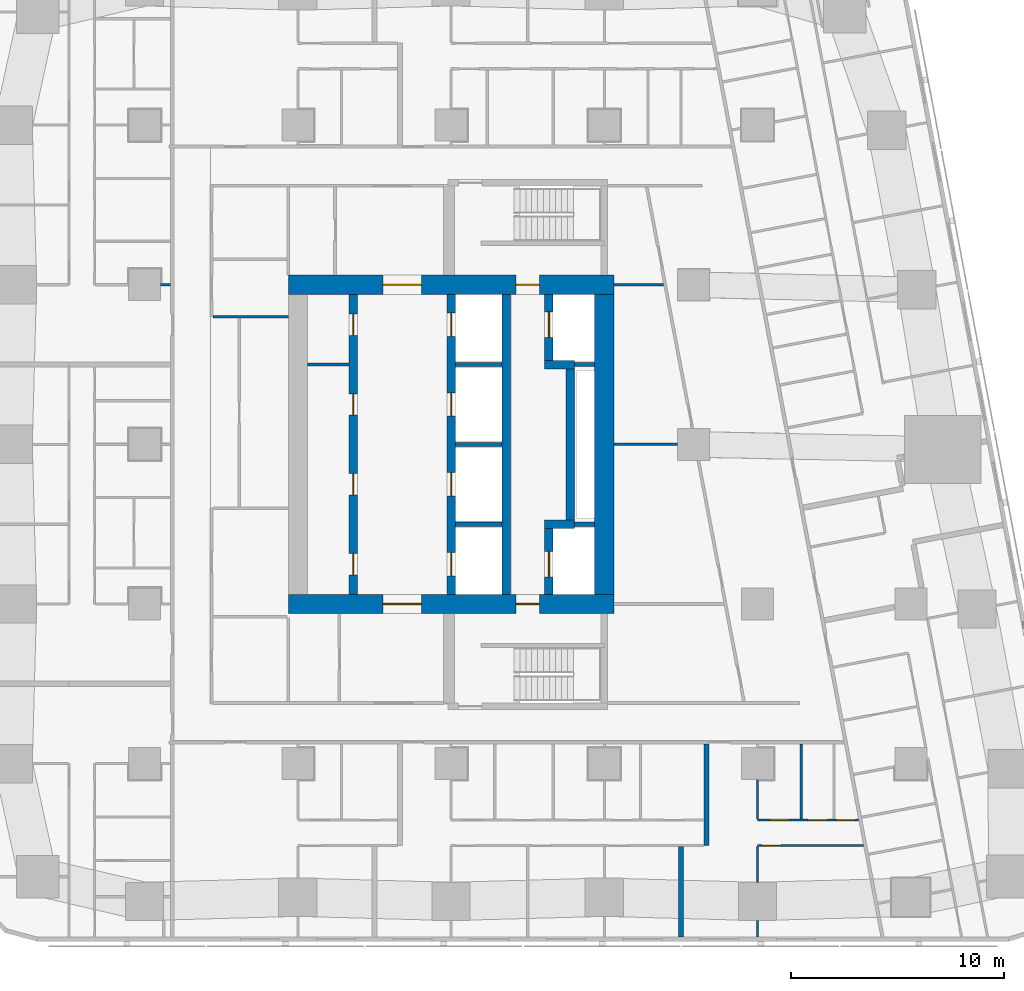
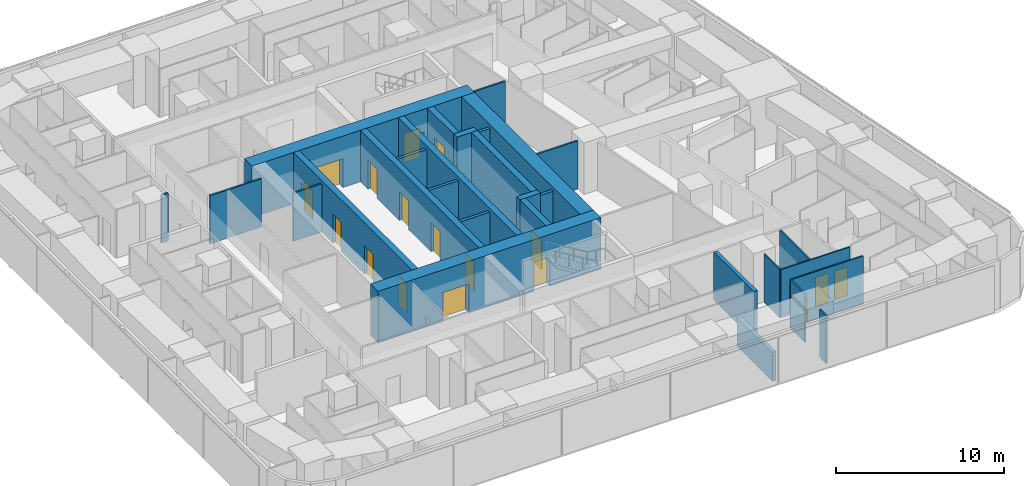
# One storey, part 6 of 15: 29 walls, 18 doors, 18 openings.
"""IFC4 building model written with IfcOpenShell, lengths in metres."""

from ifc_helpers import new_model, si_unit, direction, frame, frame_2d, origin, place, context, subcontext, project, spatial, rectangle, extrude, material, layer, layer_set, type_object, element, fill, save


model = new_model("IFC4")

# Units and contexts
model_context = context("Model", 3, precision=1e-05, world=origin(), true_north=direction((0.0, 1.0)))
body_context = subcontext(model_context, "Body", "Model", "MODEL_VIEW")
ifc_project = project(units=[si_unit("LENGTHUNIT", "METRE"), si_unit("AREAUNIT", "SQUARE_METRE"), si_unit("VOLUMEUNIT", "CUBIC_METRE"), si_unit("PLANEANGLEUNIT", "RADIAN"), si_unit("MASSUNIT", "GRAM", prefix="KILO")], contexts=[model_context])

# Site, building, storey
site_placement = place(None, origin())
site = spatial("IfcSite", under=ifc_project, at=site_placement, CompositionType="ELEMENT")
building_placement = place(site_placement, origin())
building = spatial("IfcBuilding", under=site, at=building_placement, Name="Sheger Commons Tower", CompositionType="ELEMENT")
storey_placement = place(building_placement, frame((0.0, 0.0, 165.800048828125)))
storey = spatial("IfcBuildingStorey", under=building, at=storey_placement, Name="L42", CompositionType="ELEMENT", Elevation=165.800048828125)

# Wall, openings, doors
ifc_material_1 = material(Name="Concrete C50/60", Category="concrete")
ifc_layer_1 = layer(ifc_material_1, 0.39990234375)
ifc_layer_set_1 = layer_set([ifc_layer_1], Name="CORE INNER WALL 400")
wall_type_1 = type_object("IfcWallType", Name="CORE INNER WALL 400", PredefinedType="SHEAR", material=ifc_layer_set_1)
wall_1_placement = place(storey_placement, frame((17.0, 15.449951171875, 0.0), z_axis=(0.0, 0.0, 1.0), x_axis=(0.0, 1.0, 0.0)))
wall_1 = element("IfcWall", 1, at=wall_1_placement, inside=storey, type_object=wall_type_1, Name="Core inner wall A L42", PredefinedType="SHEAR", context=body_context, shape_type="SweptSolid", body=[
    extrude(rectangle(XDim=14.10009765625, YDim=0.39990234375, at=frame_2d((7.050048828125, 0.0))), origin(), (0.0, 0.0, 1.0), 3.75),
])
opening_1_placement = place(wall_1_placement, frame((0.925048828125, 0.0, 0.0)))
opening_1 = element("IfcOpeningElement", 2, at=opening_1_placement, cuts=wall_1, Name="Opening D4", PredefinedType="OPENING", context=body_context, shape_type="SweptSolid", body=[
    extrude(rectangle(XDim=1.0, YDim=2.10009765625, at=frame_2d((0.5, 1.050048828125))), frame((0.0, 0.2099609375, 0.0), z_axis=(0.0, -1.0, 0.0), x_axis=(1.0, 0.0, 0.0)), (0.0, 0.0, 1.0), 0.419921875),
])
opening_2_placement = place(wall_1_placement, frame((4.675048828125, 0.0, 0.0)))
opening_2 = element("IfcOpeningElement", 3, at=opening_2_placement, cuts=wall_1, Name="Opening D4", PredefinedType="OPENING", context=body_context, shape_type="SweptSolid", body=[
    extrude(rectangle(XDim=1.0, YDim=2.10009765625, at=frame_2d((0.5, 1.050048828125))), frame((0.0, 0.2099609375, 0.0), z_axis=(0.0, -1.0, 0.0), x_axis=(1.0, 0.0, 0.0)), (0.0, 0.0, 1.0), 0.419921875),
])
opening_3_placement = place(wall_1_placement, frame((8.425048828125, 0.0, 0.0)))
opening_3 = element("IfcOpeningElement", 4, at=opening_3_placement, cuts=wall_1, Name="Opening D4", PredefinedType="OPENING", context=body_context, shape_type="SweptSolid", body=[
    extrude(rectangle(XDim=1.0, YDim=2.10009765625, at=frame_2d((0.5, 1.050048828125))), frame((0.0, 0.2099609375, 0.0), z_axis=(0.0, -1.0, 0.0), x_axis=(1.0, 0.0, 0.0)), (0.0, 0.0, 1.0), 0.419921875),
])
opening_4_placement = place(wall_1_placement, frame((12.175048828125, 0.0, 0.0)))
opening_4 = element("IfcOpeningElement", 5, at=opening_4_placement, cuts=wall_1, Name="Opening D4", PredefinedType="OPENING", context=body_context, shape_type="SweptSolid", body=[
    extrude(rectangle(XDim=1.0, YDim=2.10009765625, at=frame_2d((0.5, 1.050048828125))), frame((0.0, 0.2099609375, 0.0), z_axis=(0.0, -1.0, 0.0), x_axis=(1.0, 0.0, 0.0)), (0.0, 0.0, 1.0), 0.419921875),
])
ifc_material_2 = material(Name="Steel door set, fire rated", Category="steel")
door_type_1 = type_object("IfcDoorType", Name="SERVICE DOOR 1000x2100", OperationType="NOTDEFINED", PredefinedType="DOOR", material=ifc_material_2)
door_1_placement = place(opening_1_placement, origin())
door_1 = element("IfcDoor", 6, at=door_1_placement, inside=storey, type_object=door_type_1, Name="Maintenance store door", OperationType="SINGLE_SWING_LEFT", OverallHeight=2.10009765625, OverallWidth=1.0, PredefinedType="DOOR", context=body_context, shape_type="SweptSolid", body=[
    extrude(rectangle(XDim=1.0, YDim=2.10009765625, at=frame_2d((0.5, 1.050048828125))), frame((0.0, 0.02490234375, 0.0), z_axis=(0.0, -1.0, 0.0), x_axis=(1.0, 0.0, 0.0)), (0.0, 0.0, 1.0), 0.050048828125),
])
fill(opening_1, door_1)
door_2_placement = place(opening_2_placement, origin())
door_2 = element("IfcDoor", 7, at=door_2_placement, inside=storey, type_object=door_type_1, Name="Maintenance store door", OperationType="SINGLE_SWING_LEFT", OverallHeight=2.10009765625, OverallWidth=1.0, PredefinedType="DOOR", context=body_context, shape_type="SweptSolid", body=[
    extrude(rectangle(XDim=1.0, YDim=2.10009765625, at=frame_2d((0.5, 1.050048828125))), frame((0.0, 0.02490234375, 0.0), z_axis=(0.0, -1.0, 0.0), x_axis=(1.0, 0.0, 0.0)), (0.0, 0.0, 1.0), 0.050048828125),
])
fill(opening_2, door_2)
door_3_placement = place(opening_3_placement, origin())
door_3 = element("IfcDoor", 8, at=door_3_placement, inside=storey, type_object=door_type_1, Name="Maintenance store door", OperationType="SINGLE_SWING_RIGHT", OverallHeight=2.10009765625, OverallWidth=1.0, PredefinedType="DOOR", context=body_context, shape_type="SweptSolid", body=[
    extrude(rectangle(XDim=1.0, YDim=2.10009765625, at=frame_2d((0.5, 1.050048828125))), frame((0.0, 0.02490234375, 0.0), z_axis=(0.0, -1.0, 0.0), x_axis=(1.0, 0.0, 0.0)), (0.0, 0.0, 1.0), 0.050048828125),
])
fill(opening_3, door_3)
door_4_placement = place(opening_4_placement, origin())
door_4 = element("IfcDoor", 9, at=door_4_placement, inside=storey, type_object=door_type_1, Name="Staff WC door", OperationType="SINGLE_SWING_RIGHT", OverallHeight=2.10009765625, OverallWidth=1.0, PredefinedType="DOOR", context=body_context, shape_type="SweptSolid", body=[
    extrude(rectangle(XDim=1.0, YDim=2.10009765625, at=frame_2d((0.5, 1.050048828125))), frame((0.0, 0.02490234375, 0.0), z_axis=(0.0, -1.0, 0.0), x_axis=(1.0, 0.0, 0.0)), (0.0, 0.0, 1.0), 0.050048828125),
])
fill(opening_4, door_4)

wall_2_placement = place(storey_placement, frame((21.60009765625, 15.449951171875, 0.0), z_axis=(0.0, 0.0, 1.0), x_axis=(0.0, 1.0, 0.0)))
wall_2 = element("IfcWall", 10, at=wall_2_placement, inside=storey, type_object=wall_type_1, Name="Core inner wall L L42", PredefinedType="SHEAR", context=body_context, shape_type="SweptSolid", body=[
    extrude(rectangle(XDim=14.10009765625, YDim=0.39990234375, at=frame_2d((7.050048828125, 0.0))), origin(), (0.0, 0.0, 1.0), 3.75),
])
opening_5_placement = place(wall_2_placement, frame((0.875, 0.0, 0.0)))
opening_5 = element("IfcOpeningElement", 11, at=opening_5_placement, cuts=wall_2, Name="Opening LD", PredefinedType="OPENING", context=body_context, shape_type="SweptSolid", body=[
    extrude(rectangle(XDim=1.10009765625, YDim=2.10009765625, at=frame_2d((0.550048828125, 1.050048828125))), frame((0.0, 0.2099609375, 0.0), z_axis=(0.0, -1.0, 0.0), x_axis=(1.0, 0.0, 0.0)), (0.0, 0.0, 1.0), 0.419921875),
])
opening_6_placement = place(wall_2_placement, frame((4.625, 0.0, 0.0)))
opening_6 = element("IfcOpeningElement", 12, at=opening_6_placement, cuts=wall_2, Name="Opening LD", PredefinedType="OPENING", context=body_context, shape_type="SweptSolid", body=[
    extrude(rectangle(XDim=1.10009765625, YDim=2.10009765625, at=frame_2d((0.550048828125, 1.050048828125))), frame((0.0, 0.2099609375, 0.0), z_axis=(0.0, -1.0, 0.0), x_axis=(1.0, 0.0, 0.0)), (0.0, 0.0, 1.0), 0.419921875),
])
opening_7_placement = place(wall_2_placement, frame((8.375, 0.0, 0.0)))
opening_7 = element("IfcOpeningElement", 13, at=opening_7_placement, cuts=wall_2, Name="Opening LD", PredefinedType="OPENING", context=body_context, shape_type="SweptSolid", body=[
    extrude(rectangle(XDim=1.10009765625, YDim=2.10009765625, at=frame_2d((0.550048828125, 1.050048828125))), frame((0.0, 0.2099609375, 0.0), z_axis=(0.0, -1.0, 0.0), x_axis=(1.0, 0.0, 0.0)), (0.0, 0.0, 1.0), 0.419921875),
])
opening_8_placement = place(wall_2_placement, frame((12.125, 0.0, 0.0)))
opening_8 = element("IfcOpeningElement", 14, at=opening_8_placement, cuts=wall_2, Name="Opening LD", PredefinedType="OPENING", context=body_context, shape_type="SweptSolid", body=[
    extrude(rectangle(XDim=1.10009765625, YDim=2.10009765625, at=frame_2d((0.550048828125, 1.050048828125))), frame((0.0, 0.2099609375, 0.0), z_axis=(0.0, -1.0, 0.0), x_axis=(1.0, 0.0, 0.0)), (0.0, 0.0, 1.0), 0.419921875),
])
ifc_material_3 = material(Name="Steel door set, fire rated", Category="steel")
door_type_2 = type_object("IfcDoorType", Name="LIFT LANDING DOOR 1100x2100", OperationType="DOUBLE_DOOR_SLIDING", PredefinedType="DOOR", material=ifc_material_3)
door_5_placement = place(opening_5_placement, origin())
door_5 = element("IfcDoor", 15, at=door_5_placement, inside=storey, type_object=door_type_2, Name="Lift LB1 landing door", OperationType="DOUBLE_DOOR_SLIDING", OverallHeight=2.10009765625, OverallWidth=1.10009765625, PredefinedType="DOOR", context=body_context, shape_type="SweptSolid", body=[
    extrude(rectangle(XDim=1.10009765625, YDim=2.10009765625, at=frame_2d((0.550048828125, 1.050048828125))), frame((0.0, 0.02490234375, 0.0), z_axis=(0.0, -1.0, 0.0), x_axis=(1.0, 0.0, 0.0)), (0.0, 0.0, 1.0), 0.050048828125),
])
fill(opening_5, door_5)
door_6_placement = place(opening_6_placement, origin())
door_6 = element("IfcDoor", 16, at=door_6_placement, inside=storey, type_object=door_type_2, Name="Lift LB2 landing door", OperationType="DOUBLE_DOOR_SLIDING", OverallHeight=2.10009765625, OverallWidth=1.10009765625, PredefinedType="DOOR", context=body_context, shape_type="SweptSolid", body=[
    extrude(rectangle(XDim=1.10009765625, YDim=2.10009765625, at=frame_2d((0.550048828125, 1.050048828125))), frame((0.0, 0.02490234375, 0.0), z_axis=(0.0, -1.0, 0.0), x_axis=(1.0, 0.0, 0.0)), (0.0, 0.0, 1.0), 0.050048828125),
])
fill(opening_6, door_6)
door_7_placement = place(opening_7_placement, origin())
door_7 = element("IfcDoor", 17, at=door_7_placement, inside=storey, type_object=door_type_2, Name="Lift LB3 landing door", OperationType="DOUBLE_DOOR_SLIDING", OverallHeight=2.10009765625, OverallWidth=1.10009765625, PredefinedType="DOOR", context=body_context, shape_type="SweptSolid", body=[
    extrude(rectangle(XDim=1.10009765625, YDim=2.10009765625, at=frame_2d((0.550048828125, 1.050048828125))), frame((0.0, 0.02490234375, 0.0), z_axis=(0.0, -1.0, 0.0), x_axis=(1.0, 0.0, 0.0)), (0.0, 0.0, 1.0), 0.050048828125),
])
fill(opening_7, door_7)
door_8_placement = place(opening_8_placement, origin())
door_8 = element("IfcDoor", 18, at=door_8_placement, inside=storey, type_object=door_type_2, Name="Lift LB4 landing door", OperationType="DOUBLE_DOOR_SLIDING", OverallHeight=2.10009765625, OverallWidth=1.10009765625, PredefinedType="DOOR", context=body_context, shape_type="SweptSolid", body=[
    extrude(rectangle(XDim=1.10009765625, YDim=2.10009765625, at=frame_2d((0.550048828125, 1.050048828125))), frame((0.0, 0.02490234375, 0.0), z_axis=(0.0, -1.0, 0.0), x_axis=(1.0, 0.0, 0.0)), (0.0, 0.0, 1.0), 0.050048828125),
])
fill(opening_8, door_8)

# Wall
wall_3_placement = place(storey_placement, frame((24.199951171875, 15.449951171875, 0.0), z_axis=(0.0, 0.0, 1.0), x_axis=(0.0, 1.0, 0.0)))
element("IfcWall", 19, at=wall_3_placement, inside=storey, type_object=wall_type_1, Name="Core inner wall B L42", PredefinedType="SHEAR", context=body_context, shape_type="SweptSolid", body=[
    extrude(rectangle(XDim=14.10009765625, YDim=0.39990234375, at=frame_2d((7.050048828125, 0.0))), origin(), (0.0, 0.0, 1.0), 3.75),
])

# Wall, opening, door
wall_4_placement = place(storey_placement, frame((26.199951171875, 15.449951171875, 0.0), z_axis=(0.0, 0.0, 1.0), x_axis=(0.0, 1.0, 0.0)))
wall_4 = element("IfcWall", 20, at=wall_4_placement, inside=storey, type_object=wall_type_1, Name="Core inner wall F L42", PredefinedType="SHEAR", context=body_context, shape_type="SweptSolid", body=[
    extrude(rectangle(XDim=3.10009765625, YDim=0.39990234375, at=frame_2d((1.550048828125, 0.0))), origin(), (0.0, 0.0, 1.0), 3.75),
])
opening_9_placement = place(wall_4_placement, frame((0.824951171875, 0.0, 0.0)))
opening_9 = element("IfcOpeningElement", 21, at=opening_9_placement, cuts=wall_4, Name="Opening LD2", PredefinedType="OPENING", context=body_context, shape_type="SweptSolid", body=[
    extrude(rectangle(XDim=1.199951171875, YDim=2.10009765625, at=frame_2d((0.60009765625, 1.050048828125))), frame((0.0, 0.2099609375, 0.0), z_axis=(0.0, -1.0, 0.0), x_axis=(1.0, 0.0, 0.0)), (0.0, 0.0, 1.0), 0.419921875),
])
ifc_material_4 = material(Name="Steel door set, fire rated", Category="steel")
door_type_3 = type_object("IfcDoorType", Name="FIREFIGHTING LIFT LANDING DOOR 1200x2100", OperationType="DOUBLE_DOOR_SLIDING", PredefinedType="DOOR", material=ifc_material_4)
door_9_placement = place(opening_9_placement, origin())
door_9 = element("IfcDoor", 22, at=door_9_placement, inside=storey, type_object=door_type_3, Name="Lift FL1 landing door", OperationType="DOUBLE_DOOR_SLIDING", OverallHeight=2.10009765625, OverallWidth=1.199951171875, PredefinedType="DOOR", context=body_context, shape_type="SweptSolid", body=[
    extrude(rectangle(XDim=1.199951171875, YDim=2.10009765625, at=frame_2d((0.60009765625, 1.050048828125))), frame((0.0, 0.02490234375, 0.0), z_axis=(0.0, -1.0, 0.0), x_axis=(1.0, 0.0, 0.0)), (0.0, 0.0, 1.0), 0.050048828125),
])
fill(opening_9, door_9)

# Walls
wall_5_placement = place(storey_placement, frame((26.0, 18.75, 0.0), z_axis=(0.0, 0.0, 1.0), x_axis=(1.0, 0.0, 0.0)))
element("IfcWall", 23, at=wall_5_placement, inside=storey, type_object=wall_type_1, Name="Core inner wall F south return L42", PredefinedType="SHEAR", context=body_context, shape_type="SweptSolid", body=[
    extrude(rectangle(XDim=1.39990234375, YDim=0.39990234375, at=frame_2d((0.699951171875, 0.0))), origin(), (0.0, 0.0, 1.0), 3.75),
])
wall_6_placement = place(storey_placement, frame((27.199951171875, 18.949951171875, 0.0), z_axis=(0.0, 0.0, 1.0), x_axis=(0.0, 1.0, 0.0)))
element("IfcWall", 24, at=wall_6_placement, inside=storey, type_object=wall_type_1, Name="Core inner wall F middle L42", PredefinedType="SHEAR", context=body_context, shape_type="SweptSolid", body=[
    extrude(rectangle(XDim=7.10009765625, YDim=0.39990234375, at=frame_2d((3.550048828125, 0.0))), origin(), (0.0, 0.0, 1.0), 3.75),
])
wall_7_placement = place(storey_placement, frame((26.0, 26.25, 0.0), z_axis=(0.0, 0.0, 1.0), x_axis=(1.0, 0.0, 0.0)))
element("IfcWall", 25, at=wall_7_placement, inside=storey, type_object=wall_type_1, Name="Core inner wall F north return L42", PredefinedType="SHEAR", context=body_context, shape_type="SweptSolid", body=[
    extrude(rectangle(XDim=1.39990234375, YDim=0.39990234375, at=frame_2d((0.699951171875, 0.0))), origin(), (0.0, 0.0, 1.0), 3.75),
])

# Wall, opening, door
wall_8_placement = place(storey_placement, frame((26.199951171875, 26.449951171875, 0.0), z_axis=(0.0, 0.0, 1.0), x_axis=(0.0, 1.0, 0.0)))
wall_8 = element("IfcWall", 26, at=wall_8_placement, inside=storey, type_object=wall_type_1, Name="Core inner wall F north L42", PredefinedType="SHEAR", context=body_context, shape_type="SweptSolid", body=[
    extrude(rectangle(XDim=3.10009765625, YDim=0.39990234375, at=frame_2d((1.550048828125, 0.0))), origin(), (0.0, 0.0, 1.0), 3.75),
])
opening_10_placement = place(wall_8_placement, frame((1.074951171875, 0.0, 0.0)))
opening_10 = element("IfcOpeningElement", 27, at=opening_10_placement, cuts=wall_8, Name="Opening LD2", PredefinedType="OPENING", context=body_context, shape_type="SweptSolid", body=[
    extrude(rectangle(XDim=1.199951171875, YDim=2.10009765625, at=frame_2d((0.60009765625, 1.050048828125))), frame((0.0, 0.2099609375, 0.0), z_axis=(0.0, -1.0, 0.0), x_axis=(1.0, 0.0, 0.0)), (0.0, 0.0, 1.0), 0.419921875),
])
door_10_placement = place(opening_10_placement, origin())
door_10 = element("IfcDoor", 28, at=door_10_placement, inside=storey, type_object=door_type_3, Name="Lift FL2 landing door", OperationType="DOUBLE_DOOR_SLIDING", OverallHeight=2.10009765625, OverallWidth=1.199951171875, PredefinedType="DOOR", context=body_context, shape_type="SweptSolid", body=[
    extrude(rectangle(XDim=1.199951171875, YDim=2.10009765625, at=frame_2d((0.60009765625, 1.050048828125))), frame((0.0, 0.02490234375, 0.0), z_axis=(0.0, -1.0, 0.0), x_axis=(1.0, 0.0, 0.0)), (0.0, 0.0, 1.0), 0.050048828125),
])
fill(opening_10, door_10)

# Wall, openings, doors
ifc_material_5 = material(Name="Concrete C50/60", Category="concrete")
ifc_layer_2 = layer(ifc_material_5, 0.89990234375)
ifc_layer_set_2 = layer_set([ifc_layer_2], Name="CORE WALL 900")
wall_type_2 = type_object("IfcWallType", Name="CORE WALL 900", PredefinedType="SHEAR", material=ifc_layer_set_2)
wall_9_placement = place(storey_placement, frame((13.949951171875, 15.0, 0.0), z_axis=(0.0, 0.0, 1.0), x_axis=(1.0, 0.0, 0.0)))
wall_9 = element("IfcWall", 29, at=wall_9_placement, inside=storey, type_object=wall_type_2, Name="Core wall south L42", PredefinedType="SHEAR", context=body_context, shape_type="SweptSolid", body=[
    extrude(rectangle(XDim=15.300048828125, YDim=0.89990234375, at=frame_2d((7.64990234375, 0.0))), origin(), (0.0, 0.0, 1.0), 3.75),
])
opening_11_placement = place(wall_9_placement, frame((4.449951171875, 0.0, 0.0)))
opening_11 = element("IfcOpeningElement", 30, at=opening_11_placement, cuts=wall_9, Name="Opening D6", PredefinedType="OPENING", context=body_context, shape_type="SweptSolid", body=[
    extrude(rectangle(XDim=1.800048828125, YDim=2.10009765625, at=frame_2d((0.89990234375, 1.050048828125))), frame((0.0, 0.4599609375, 0.0), z_axis=(0.0, -1.0, 0.0), x_axis=(1.0, 0.0, 0.0)), (0.0, 0.0, 1.0), 0.919921875),
])
opening_12_placement = place(wall_9_placement, frame((10.699951171875, 0.0, 0.0)))
opening_12 = element("IfcOpeningElement", 31, at=opening_12_placement, cuts=wall_9, Name="Opening D5", PredefinedType="OPENING", context=body_context, shape_type="SweptSolid", body=[
    extrude(rectangle(XDim=1.10009765625, YDim=2.10009765625, at=frame_2d((0.550048828125, 1.050048828125))), frame((0.0, 0.4599609375, 0.0), z_axis=(0.0, -1.0, 0.0), x_axis=(1.0, 0.0, 0.0)), (0.0, 0.0, 1.0), 0.919921875),
])
ifc_material_6 = material(Name="Steel door set, fire rated", Category="steel")
door_type_4 = type_object("IfcDoorType", Name="LOBBY DOUBLE DOOR 1800x2100", OperationType="DOUBLE_DOOR_SINGLE_SWING", PredefinedType="DOOR", material=ifc_material_6)
door_11_placement = place(opening_11_placement, origin())
door_11 = element("IfcDoor", 32, at=door_11_placement, inside=storey, type_object=door_type_4, Name="Lift lobby door", OperationType="DOUBLE_DOOR_SINGLE_SWING", OverallHeight=2.10009765625, OverallWidth=1.800048828125, PredefinedType="DOOR", context=body_context, shape_type="SweptSolid", body=[
    extrude(rectangle(XDim=1.800048828125, YDim=2.10009765625, at=frame_2d((0.89990234375, 1.050048828125))), frame((0.0, 0.02490234375, 0.0), z_axis=(0.0, -1.0, 0.0), x_axis=(1.0, 0.0, 0.0)), (0.0, 0.0, 1.0), 0.050048828125),
])
fill(opening_11, door_11)
ifc_material_7 = material(Name="Steel door set, fire rated", Category="steel")
door_type_5 = type_object("IfcDoorType", Name="STAIR DOOR 1100x2100", OperationType="NOTDEFINED", PredefinedType="DOOR", material=ifc_material_7)
door_12_placement = place(opening_12_placement, origin())
door_12 = element("IfcDoor", 33, at=door_12_placement, inside=storey, type_object=door_type_5, Name="Fire-fighting lobby door", OperationType="SINGLE_SWING_RIGHT", OverallHeight=2.10009765625, OverallWidth=1.10009765625, PredefinedType="DOOR", context=body_context, shape_type="SweptSolid", body=[
    extrude(rectangle(XDim=1.10009765625, YDim=2.10009765625, at=frame_2d((0.550048828125, 1.050048828125))), frame((0.0, 0.02490234375, 0.0), z_axis=(0.0, -1.0, 0.0), x_axis=(1.0, 0.0, 0.0)), (0.0, 0.0, 1.0), 0.050048828125),
])
fill(opening_12, door_12)

wall_10_placement = place(storey_placement, frame((13.949951171875, 30.0, 0.0), z_axis=(0.0, 0.0, 1.0), x_axis=(1.0, 0.0, 0.0)))
wall_10 = element("IfcWall", 34, at=wall_10_placement, inside=storey, type_object=wall_type_2, Name="Core wall north L42", PredefinedType="SHEAR", context=body_context, shape_type="SweptSolid", body=[
    extrude(rectangle(XDim=15.300048828125, YDim=0.89990234375, at=frame_2d((7.64990234375, 0.0))), origin(), (0.0, 0.0, 1.0), 3.75),
])
opening_13_placement = place(wall_10_placement, frame((4.449951171875, 0.0, 0.0)))
opening_13 = element("IfcOpeningElement", 35, at=opening_13_placement, cuts=wall_10, Name="Opening D6", PredefinedType="OPENING", context=body_context, shape_type="SweptSolid", body=[
    extrude(rectangle(XDim=1.800048828125, YDim=2.10009765625, at=frame_2d((0.89990234375, 1.050048828125))), frame((0.0, 0.4599609375, 0.0), z_axis=(0.0, -1.0, 0.0), x_axis=(1.0, 0.0, 0.0)), (0.0, 0.0, 1.0), 0.919921875),
])
opening_14_placement = place(wall_10_placement, frame((10.699951171875, 0.0, 0.0)))
opening_14 = element("IfcOpeningElement", 36, at=opening_14_placement, cuts=wall_10, Name="Opening D5", PredefinedType="OPENING", context=body_context, shape_type="SweptSolid", body=[
    extrude(rectangle(XDim=1.10009765625, YDim=2.10009765625, at=frame_2d((0.550048828125, 1.050048828125))), frame((0.0, 0.4599609375, 0.0), z_axis=(0.0, -1.0, 0.0), x_axis=(1.0, 0.0, 0.0)), (0.0, 0.0, 1.0), 0.919921875),
])
door_13_placement = place(opening_13_placement, origin())
door_13 = element("IfcDoor", 37, at=door_13_placement, inside=storey, type_object=door_type_4, Name="Lift lobby door", OperationType="DOUBLE_DOOR_SINGLE_SWING", OverallHeight=2.10009765625, OverallWidth=1.800048828125, PredefinedType="DOOR", context=body_context, shape_type="SweptSolid", body=[
    extrude(rectangle(XDim=1.800048828125, YDim=2.10009765625, at=frame_2d((0.89990234375, 1.050048828125))), frame((0.0, 0.02490234375, 0.0), z_axis=(0.0, -1.0, 0.0), x_axis=(1.0, 0.0, 0.0)), (0.0, 0.0, 1.0), 0.050048828125),
])
fill(opening_13, door_13)
door_14_placement = place(opening_14_placement, origin())
door_14 = element("IfcDoor", 38, at=door_14_placement, inside=storey, type_object=door_type_5, Name="Fire-fighting lobby door", OperationType="SINGLE_SWING_RIGHT", OverallHeight=2.10009765625, OverallWidth=1.10009765625, PredefinedType="DOOR", context=body_context, shape_type="SweptSolid", body=[
    extrude(rectangle(XDim=1.10009765625, YDim=2.10009765625, at=frame_2d((0.550048828125, 1.050048828125))), frame((0.0, 0.02490234375, 0.0), z_axis=(0.0, -1.0, 0.0), x_axis=(1.0, 0.0, 0.0)), (0.0, 0.0, 1.0), 0.050048828125),
])
fill(opening_14, door_14)

# Walls
wall_11_placement = place(storey_placement, frame((28.800048828125, 15.449951171875, 0.0), z_axis=(0.0, 0.0, 1.0), x_axis=(0.0, 1.0, 0.0)))
element("IfcWall", 39, at=wall_11_placement, inside=storey, type_object=wall_type_2, Name="Core wall east L42", PredefinedType="SHEAR", context=body_context, shape_type="SweptSolid", body=[
    extrude(rectangle(XDim=14.10009765625, YDim=0.89990234375, at=frame_2d((7.050048828125, 0.0))), origin(), (0.0, 0.0, 1.0), 3.75),
])
ifc_material_8 = material(Name="Dense concrete block masonry, plastered both sides (separating wall between flats)", Category="masonry")
ifc_layer_3 = layer(ifc_material_8, 0.25)
ifc_layer_set_3 = layer_set([ifc_layer_3], Name="DEMISING WALL 250")
wall_type_3 = type_object("IfcWallType", Name="DEMISING WALL 250", PredefinedType="SOLIDWALL", material=ifc_layer_set_3)
wall_12_placement = place(storey_placement, frame((32.39990234375, -0.64990234375, 0.0), z_axis=(0.0, 0.0, 1.0), x_axis=(0.0, 1.0, 0.0)))
element("IfcWall", 40, at=wall_12_placement, inside=storey, type_object=wall_type_3, Name="Demising wall L42", PredefinedType="SOLIDWALL", context=body_context, shape_type="SweptSolid", body=[
    extrude(rectangle(XDim=4.25, YDim=0.25, at=frame_2d((2.125, 0.0))), origin(), (0.0, 0.0, 1.0), 2.099853515625),
])
wall_13_placement = place(storey_placement, frame((33.59912109375, 3.64990234375, 0.0), z_axis=(0.0, 0.0, 1.0), x_axis=(0.0, 1.0, 0.0)))
element("IfcWall", 41, at=wall_13_placement, inside=storey, type_object=wall_type_3, Name="Demising wall L42", PredefinedType="SOLIDWALL", context=body_context, shape_type="SweptSolid", body=[
    extrude(rectangle(XDim=4.775146484375, YDim=0.25, at=frame_2d((2.3876953125, 0.0))), origin(), (0.0, 0.0, 1.0), 3.5),
])
ifc_material_9 = material(Name="Gypsum board on steel studs", Category="steel")
ifc_layer_4 = layer(ifc_material_9, 0.10009765625)
ifc_layer_set_4 = layer_set([ifc_layer_4], Name="PARTITION 100")
wall_type_4 = type_object("IfcWallType", Name="PARTITION 100", PredefinedType="PARTITIONING", material=ifc_layer_set_4)
wall_14_placement = place(storey_placement, frame((7.950927734375, 30.0, 0.0), z_axis=(0.0, 0.0, 1.0), x_axis=(1.0, 0.0, 0.0)))
element("IfcWall", 42, at=wall_14_placement, inside=storey, type_object=wall_type_4, Name="Partition L42", PredefinedType="PARTITIONING", context=body_context, shape_type="SweptSolid", body=[
    extrude(rectangle(XDim=0.47412109375, YDim=0.10009765625, at=frame_2d((0.237060546875, 0.0))), origin(), (0.0, 0.0, 1.0), 3.5),
])

# Wall, opening, door
wall_15_placement = place(storey_placement, frame((40.97412109375, 3.64990234375, 0.0), z_axis=(0.0, 0.0, 1.0), x_axis=(-1.0, 0.0, 0.0)))
wall_15 = element("IfcWall", 43, at=wall_15_placement, inside=storey, type_object=wall_type_4, Name="Partition L42", PredefinedType="PARTITIONING", context=body_context, shape_type="SweptSolid", body=[
    extrude(rectangle(XDim=4.97412109375, YDim=0.10009765625, at=frame_2d((2.487060546875, 0.0))), origin(), (0.0, 0.0, 1.0), 3.5),
])
opening_15_placement = place(wall_15_placement, frame((3.8740234375, 0.0, 0.0)))
opening_15 = element("IfcOpeningElement", 44, at=opening_15_placement, cuts=wall_15, Name="Opening D2", PredefinedType="OPENING", context=body_context, shape_type="SweptSolid", body=[
    extrude(rectangle(XDim=0.89990234375, YDim=2.10009765625, at=frame_2d((0.449951171875, 1.050048828125))), frame((0.0, 0.06005859375, 0.0), z_axis=(0.0, -1.0, 0.0), x_axis=(1.0, 0.0, 0.0)), (0.0, 0.0, 1.0), 0.1201171875),
])
ifc_material_10 = material(Name="Timber door set", Category="wood")
door_type_6 = type_object("IfcDoorType", Name="INTERNAL DOOR 900x2100", OperationType="NOTDEFINED", PredefinedType="DOOR", material=ifc_material_10)
door_15_placement = place(opening_15_placement, origin())
door_15 = element("IfcDoor", 45, at=door_15_placement, inside=storey, type_object=door_type_6, Name="Main bedroom door", OperationType="SINGLE_SWING_RIGHT", OverallHeight=2.10009765625, OverallWidth=0.89990234375, PredefinedType="DOOR", context=body_context, shape_type="SweptSolid", body=[
    extrude(rectangle(XDim=0.89990234375, YDim=2.10009765625, at=frame_2d((0.449951171875, 1.050048828125))), frame((0.0, 0.02490234375, 0.0), z_axis=(0.0, -1.0, 0.0), x_axis=(1.0, 0.0, 0.0)), (0.0, 0.0, 1.0), 0.050048828125),
])
fill(opening_15, door_15)

# Wall, openings, doors
wall_16_placement = place(storey_placement, frame((40.7470703125, 4.85009765625, 0.0), z_axis=(0.0, 0.0, 1.0), x_axis=(-1.0, 0.0, 0.0)))
wall_16 = element("IfcWall", 46, at=wall_16_placement, inside=storey, type_object=wall_type_4, Name="Partition L42", PredefinedType="PARTITIONING", context=body_context, shape_type="SweptSolid", body=[
    extrude(rectangle(XDim=4.7470703125, YDim=0.10009765625, at=frame_2d((2.37353515625, 0.0))), origin(), (0.0, 0.0, 1.0), 3.5),
])
opening_16_placement = place(wall_16_placement, frame((3.27197265625, 0.0, 0.0)))
opening_16 = element("IfcOpeningElement", 47, at=opening_16_placement, cuts=wall_16, Name="Opening D2", PredefinedType="OPENING", context=body_context, shape_type="SweptSolid", body=[
    extrude(rectangle(XDim=0.89990234375, YDim=2.10009765625, at=frame_2d((0.449951171875, 1.050048828125))), frame((0.0, 0.06005859375, 0.0), z_axis=(0.0, -1.0, 0.0), x_axis=(1.0, 0.0, 0.0)), (0.0, 0.0, 1.0), 0.1201171875),
])
opening_17_placement = place(wall_16_placement, frame((0.14990234375, 0.0, 0.0)))
opening_17 = element("IfcOpeningElement", 48, at=opening_17_placement, cuts=wall_16, Name="Opening D2", PredefinedType="OPENING", context=body_context, shape_type="SweptSolid", body=[
    extrude(rectangle(XDim=0.89990234375, YDim=2.10009765625, at=frame_2d((0.449951171875, 1.050048828125))), frame((0.0, 0.06005859375, 0.0), z_axis=(0.0, -1.0, 0.0), x_axis=(1.0, 0.0, 0.0)), (0.0, 0.0, 1.0), 0.1201171875),
])
opening_18_placement = place(wall_16_placement, frame((1.471923828125, 0.0, 0.0)))
opening_18 = element("IfcOpeningElement", 49, at=opening_18_placement, cuts=wall_16, Name="Opening D2", PredefinedType="OPENING", context=body_context, shape_type="SweptSolid", body=[
    extrude(rectangle(XDim=0.89990234375, YDim=2.10009765625, at=frame_2d((0.449951171875, 1.050048828125))), frame((0.0, 0.06005859375, 0.0), z_axis=(0.0, -1.0, 0.0), x_axis=(1.0, 0.0, 0.0)), (0.0, 0.0, 1.0), 0.1201171875),
])
door_16_placement = place(opening_16_placement, origin())
door_16 = element("IfcDoor", 50, at=door_16_placement, inside=storey, type_object=door_type_6, Name="Bathroom door", OperationType="SINGLE_SWING_LEFT", OverallHeight=2.10009765625, OverallWidth=0.89990234375, PredefinedType="DOOR", context=body_context, shape_type="SweptSolid", body=[
    extrude(rectangle(XDim=0.89990234375, YDim=2.10009765625, at=frame_2d((0.449951171875, 1.050048828125))), frame((0.0, 0.02490234375, 0.0), z_axis=(0.0, -1.0, 0.0), x_axis=(1.0, 0.0, 0.0)), (0.0, 0.0, 1.0), 0.050048828125),
])
fill(opening_16, door_16)
door_17_placement = place(opening_17_placement, origin())
door_17 = element("IfcDoor", 51, at=door_17_placement, inside=storey, type_object=door_type_6, Name="Laundry room door", OperationType="SINGLE_SWING_RIGHT", OverallHeight=2.10009765625, OverallWidth=0.89990234375, PredefinedType="DOOR", context=body_context, shape_type="SweptSolid", body=[
    extrude(rectangle(XDim=0.89990234375, YDim=2.10009765625, at=frame_2d((0.449951171875, 1.050048828125))), frame((0.0, 0.02490234375, 0.0), z_axis=(0.0, -1.0, 0.0), x_axis=(1.0, 0.0, 0.0)), (0.0, 0.0, 1.0), 0.050048828125),
])
fill(opening_17, door_17)
door_18_placement = place(opening_18_placement, origin())
door_18 = element("IfcDoor", 52, at=door_18_placement, inside=storey, type_object=door_type_6, Name="Store door", OperationType="SINGLE_SWING_LEFT", OverallHeight=2.10009765625, OverallWidth=0.89990234375, PredefinedType="DOOR", context=body_context, shape_type="SweptSolid", body=[
    extrude(rectangle(XDim=0.89990234375, YDim=2.10009765625, at=frame_2d((0.449951171875, 1.050048828125))), frame((0.0, 0.02490234375, 0.0), z_axis=(0.0, -1.0, 0.0), x_axis=(1.0, 0.0, 0.0)), (0.0, 0.0, 1.0), 0.050048828125),
])
fill(opening_18, door_18)

# Walls
wall_17_placement = place(storey_placement, frame((36.0, -0.64990234375, 0.0), z_axis=(0.0, 0.0, 1.0), x_axis=(0.0, 1.0, 0.0)))
element("IfcWall", 53, at=wall_17_placement, inside=storey, type_object=wall_type_4, Name="Partition L42", PredefinedType="PARTITIONING", context=body_context, shape_type="SweptSolid", body=[
    extrude(rectangle(XDim=0.77392578125, YDim=0.10009765625, at=frame_2d((0.386962890625, 0.0))), origin(), (0.0, 0.0, 1.0), 3.5),
])
wall_18_placement = place(storey_placement, frame((36.0, 1.926025390625, 0.0), z_axis=(0.0, 0.0, 1.0), x_axis=(0.0, 1.0, 0.0)))
element("IfcWall", 54, at=wall_18_placement, inside=storey, type_object=wall_type_4, Name="Partition L42", PredefinedType="PARTITIONING", context=body_context, shape_type="SweptSolid", body=[
    extrude(rectangle(XDim=1.674072265625, YDim=0.10009765625, at=frame_2d((0.8369140625, 0.0))), origin(), (0.0, 0.0, 1.0), 3.5),
])
wall_19_placement = place(storey_placement, frame((36.0, 4.89990234375, 0.0), z_axis=(0.0, 0.0, 1.0), x_axis=(0.0, 1.0, 0.0)))
element("IfcWall", 55, at=wall_19_placement, inside=storey, type_object=wall_type_4, Name="Partition L42", PredefinedType="PARTITIONING", context=body_context, shape_type="SweptSolid", body=[
    extrude(rectangle(XDim=1.84912109375, YDim=0.10009765625, at=frame_2d((0.924560546875, 0.0))), origin(), (0.0, 0.0, 1.0), 3.5),
])
wall_20_placement = place(storey_placement, frame((38.050048828125, 4.89990234375, 0.0), z_axis=(0.0, 0.0, 1.0), x_axis=(0.0, 1.0, 0.0)))
element("IfcWall", 56, at=wall_20_placement, inside=storey, type_object=wall_type_4, Name="Partition L42", PredefinedType="PARTITIONING", context=body_context, shape_type="SweptSolid", body=[
    extrude(rectangle(XDim=3.525146484375, YDim=0.10009765625, at=frame_2d((1.7626953125, 0.0))), origin(), (0.0, 0.0, 1.0), 3.5),
])
ifc_material_11 = material(Name="Gypsum board on steel studs, two layers each side, fire rated", Category="steel")
ifc_layer_5 = layer(ifc_material_11, 0.125)
ifc_layer_set_5 = layer_set([ifc_layer_5], Name="SERVICE WALL 125")
wall_type_5 = type_object("IfcWallType", Name="SERVICE WALL 125", PredefinedType="PARTITIONING", material=ifc_layer_set_5)
wall_21_placement = place(storey_placement, frame((10.4130859375, 28.5, 0.0), z_axis=(0.0, 0.0, 1.0), x_axis=(1.0, 0.0, 0.0)))
element("IfcWall", 57, at=wall_21_placement, inside=storey, type_object=wall_type_5, Name="Service room wall L42", PredefinedType="PARTITIONING", context=body_context, shape_type="SweptSolid", body=[
    extrude(rectangle(XDim=3.536865234375, YDim=0.125, at=frame_2d((1.7685546875, 0.0))), origin(), (0.0, 0.0, 1.0), 3.5),
])
wall_22_placement = place(storey_placement, frame((29.25, 22.5, 0.0), z_axis=(0.0, 0.0, 1.0), x_axis=(1.0, 0.0, 0.0)))
element("IfcWall", 58, at=wall_22_placement, inside=storey, type_object=wall_type_5, Name="Service room wall L42", PredefinedType="PARTITIONING", context=body_context, shape_type="SweptSolid", body=[
    extrude(rectangle(XDim=2.9990234375, YDim=0.125, at=frame_2d((1.49951171875, 0.0))), origin(), (0.0, 0.0, 1.0), 3.5),
])
wall_23_placement = place(storey_placement, frame((29.25, 30.0, 0.0), z_axis=(0.0, 0.0, 1.0), x_axis=(1.0, 0.0, 0.0)))
element("IfcWall", 59, at=wall_23_placement, inside=storey, type_object=wall_type_5, Name="Service room wall L42", PredefinedType="PARTITIONING", context=body_context, shape_type="SweptSolid", body=[
    extrude(rectangle(XDim=2.342041015625, YDim=0.125, at=frame_2d((1.1708984375, 0.0))), origin(), (0.0, 0.0, 1.0), 3.5),
])
wall_24_placement = place(storey_placement, frame((14.85009765625, 26.25, 0.0), z_axis=(0.0, 0.0, 1.0), x_axis=(1.0, 0.0, 0.0)))
element("IfcWall", 60, at=wall_24_placement, inside=storey, type_object=wall_type_5, Name="Service room wall L42", PredefinedType="PARTITIONING", context=body_context, shape_type="SweptSolid", body=[
    extrude(rectangle(XDim=1.949951171875, YDim=0.125, at=frame_2d((0.97509765625, 0.0))), origin(), (0.0, 0.0, 1.0), 3.5),
])
ifc_material_12 = material(Name="Hollow concrete block masonry", Category="masonry")
ifc_layer_6 = layer(ifc_material_12, 0.199951171875)
ifc_layer_set_6 = layer_set([ifc_layer_6], Name="SHAFT WALL 200")
wall_type_6 = type_object("IfcWallType", Name="SHAFT WALL 200", PredefinedType="SOLIDWALL", material=ifc_layer_set_6)
for number, where, z_axis, x_axis, name in (
    (61, (21.800048828125, 18.75, 0.0), (0.0, 0.0, 1.0), (1.0, 0.0, 0.0), "Lift shaft wall L42"),
    (62, (21.800048828125, 22.5, 0.0), (0.0, 0.0, 1.0), (1.0, 0.0, 0.0), "Lift shaft wall L42"),
    (63, (21.800048828125, 26.25, 0.0), (0.0, 0.0, 1.0), (1.0, 0.0, 0.0), "Lift shaft wall L42"),
):
    element("IfcWall", number, at=place(storey_placement, frame(where, z_axis=z_axis, x_axis=x_axis)), inside=storey, type_object=wall_type_6, Name=name, PredefinedType="SOLIDWALL", context=body_context, shape_type="SweptSolid", body=[
        extrude(rectangle(XDim=2.199951171875, YDim=0.199951171875, at=frame_2d((1.10009765625, 0.0))), origin(), (0.0, 0.0, 1.0), 3.5),
    ])
for number, where, z_axis, x_axis, name in (
    (64, (27.39990234375, 18.75, 0.0), (0.0, 0.0, 1.0), (1.0, 0.0, 0.0), "Lift shaft wall L42"),
    (65, (27.39990234375, 26.25, 0.0), (0.0, 0.0, 1.0), (1.0, 0.0, 0.0), "Lift shaft wall L42"),
):
    element("IfcWall", number, at=place(storey_placement, frame(where, z_axis=z_axis, x_axis=x_axis)), inside=storey, type_object=wall_type_6, Name=name, PredefinedType="SOLIDWALL", context=body_context, shape_type="SweptSolid", body=[
        extrude(rectangle(XDim=0.9501953125, YDim=0.199951171875, at=frame_2d((0.47509765625, 0.0))), origin(), (0.0, 0.0, 1.0), 3.5),
    ])

save(model, "model.ifc")
